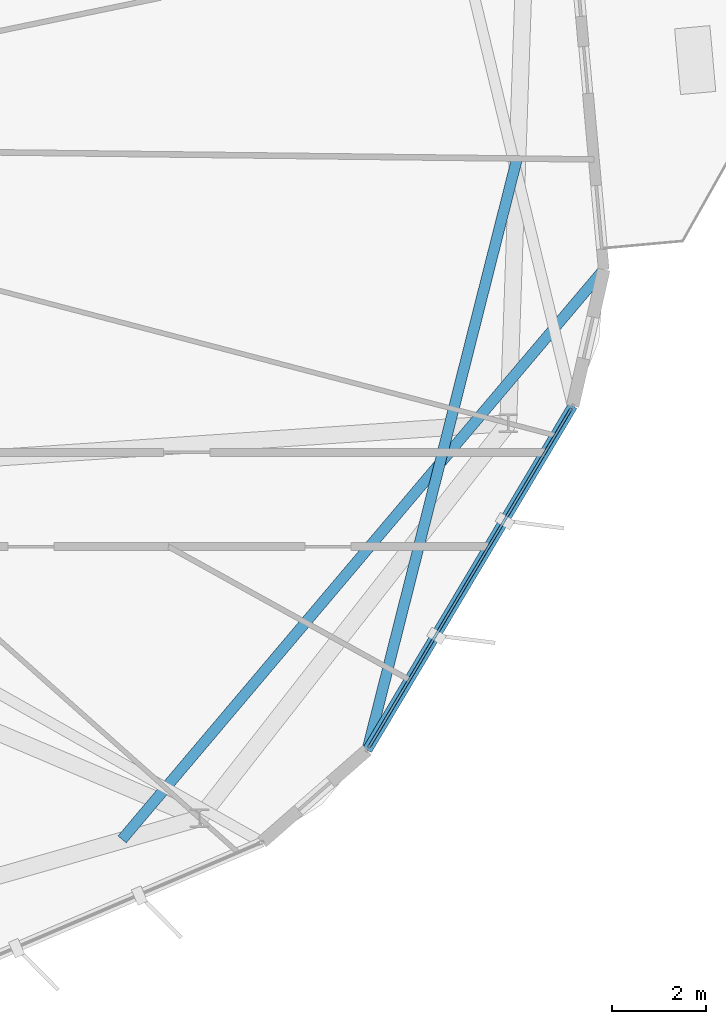
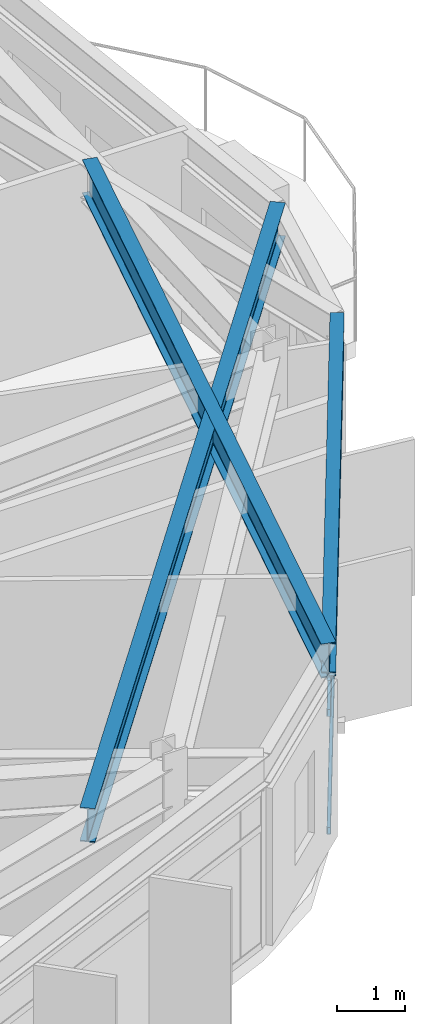
# One storey, part 11 of 23: 3 beams, 3 members, 1 element without a shape of its own.
"""IFC4 building model written with IfcOpenShell, lengths in metres."""

from ifc_helpers import new_model, si_unit, direction, frame, origin, origin_2d, place, context, subcontext, project, spatial, hollow_rectangle, i_section, extrude, material, layer, layer_set, material_profile, profile_set, type_object, element, aggregate, save


model = new_model("IFC4")

# Units and contexts
model_context = context("Model", 3, precision=1e-05, world=origin(), true_north=direction((0.0, 1.0)))
body_context = subcontext(model_context, "Body", "Model", "MODEL_VIEW")
ifc_project = project(units=[si_unit("LENGTHUNIT", "METRE"), si_unit("AREAUNIT", "SQUARE_METRE"), si_unit("VOLUMEUNIT", "CUBIC_METRE"), si_unit("PLANEANGLEUNIT", "RADIAN"), si_unit("MASSUNIT", "GRAM", prefix="KILO")], contexts=[model_context])

# Site, building, storey
site_placement = place(None, origin())
site = spatial("IfcSite", under=ifc_project, at=site_placement, CompositionType="ELEMENT")
building_placement = place(site_placement, origin())
building = spatial("IfcBuilding", under=site, at=building_placement, Name="Soratama Intermodal Tower", CompositionType="ELEMENT")
storey_placement = place(building_placement, frame((0.0, 0.0, 250.0)))
storey = spatial("IfcBuildingStorey", under=building, at=storey_placement, Name="L63", CompositionType="ELEMENT", Elevation=250.0)

# Beams
ifc_material_1 = material(Name="Structural steel ASTM A992 Grade 50", Category="steel")
ifc_material_profile_1 = material_profile(ifc_material_1, i_section(OverallWidth=0.2099609375, OverallDepth=0.537109375, WebThickness=0.010986328125, FlangeThickness=0.017333984375, FilletRadius=0.012939453125, at=origin_2d()), Name="W21X68")
ifc_profile_set_1 = profile_set([ifc_material_profile_1], Name="Structural steel ASTM A992 Grade 50")
beam_type_1 = type_object("IfcBeamType", Name="BM-SPN-W21X68", PredefinedType="SPANDREL", material=ifc_profile_set_1)
beam_1_placement = place(storey_placement, frame((58.173095703125, 12.18505859375, 3.181396484375), z_axis=(0.512610549682, 0.858621234512, 0.0), x_axis=(-0.858621234512, 0.512610549682, 0.0)))
element("IfcBeam", 1, at=beam_1_placement, inside=storey, type_object=beam_type_1, Name="BS-L63-F08", PredefinedType="SPANDREL", context=body_context, shape_type="SweptSolid", body=[
    extrude(i_section(OverallWidth=0.2099609375, OverallDepth=0.537109375, WebThickness=0.010986328125, FlangeThickness=0.017333984375, FilletRadius=0.012939453125, at=origin_2d()), origin(), (0.0, 0.0, 1.0), 8.49951171875),
])
ifc_material_2 = material(Name="Structural steel ASTM A992 Grade 50", Category="steel")
ifc_material_profile_2 = material_profile(ifc_material_2, i_section(OverallWidth=0.22900390625, OverallDepth=0.612060546875, WebThickness=0.011962890625, FlangeThickness=0.01953125, FilletRadius=0.012939453125, at=origin_2d()), Name="W24X84")
ifc_profile_set_2 = profile_set([ifc_material_profile_2], Name="Structural steel ASTM A992 Grade 50")
beam_type_2 = type_object("IfcBeamType", Name="BM-TIE-W24X84", PredefinedType="BEAM", material=ifc_profile_set_2)
beam_2_placement = place(storey_placement, frame((61.35009765625, 24.73193359375, 3.14404296875), z_axis=(-0.245463827688, -0.9694057506, 0.0), x_axis=(0.9694057506, -0.245463827688, 0.0)))
element("IfcBeam", 2, at=beam_2_placement, inside=storey, type_object=beam_type_2, Name="BM-L63-TIE0-08", PredefinedType="BEAM", context=body_context, shape_type="SweptSolid", body=[
    extrude(i_section(OverallWidth=0.22900390625, OverallDepth=0.612060546875, WebThickness=0.011962890625, FlangeThickness=0.01953125, FilletRadius=0.012939453125, at=origin_2d()), origin(), (0.0, 0.0, 1.0), 12.94287109375),
])
beam_3_placement = place(storey_placement, frame((52.97509765625, 10.29296875, 3.14404296875), z_axis=(0.645632291553, 0.763648442743, 0.0), x_axis=(-0.763648442743, 0.645632291553, 0.0)))
element("IfcBeam", 3, at=beam_3_placement, inside=storey, type_object=beam_type_2, Name="BM-L63-TIE0-09", PredefinedType="BEAM", context=body_context, shape_type="SweptSolid", body=[
    extrude(i_section(OverallWidth=0.22900390625, OverallDepth=0.612060546875, WebThickness=0.011962890625, FlangeThickness=0.01953125, FilletRadius=0.012939453125, at=origin_2d()), origin(), (0.0, 0.0, 1.0), 15.821533203125),
])

# Curtain wall, members
ifc_material_3 = material(Name="Double-glazed aluminium curtain wall", Category="aluminium")
ifc_layer = layer(ifc_material_3, 0.159912109375)
ifc_layer_set = layer_set([ifc_layer], Name="Double-glazed aluminium curtain wall")
curtain_wall_type = type_object("IfcCurtainWallType", Name="CW-SYS-5", PredefinedType="NOTDEFINED", material=ifc_layer_set)
curtain_wall_placement = place(storey_placement, origin())
curtain_wall = element("IfcCurtainWall", 4, at=curtain_wall_placement, inside=storey, type_object=curtain_wall_type, Name="L63 Faceted Curtain Wall F08", PredefinedType="NOTDEFINED")
ifc_material_4 = material(Name="Anodised aluminium AA 6063-T6", Category="aluminium")
ifc_material_profile_3 = material_profile(ifc_material_4, hollow_rectangle(XDim=0.06005859375, YDim=0.1298828125, WallThickness=0.0048828125, InnerFilletRadius=0.0048828125, OuterFilletRadius=0.010009765625, at=origin_2d()), Name="CWT130X60X5")
ifc_profile_set_3 = profile_set([ifc_material_profile_3], Name="Anodised aluminium AA 6063-T6")
member_type = type_object("IfcMemberType", Name="TT-CWT-2", PredefinedType="USERDEFINED", material=ifc_profile_set_3)
member_1_placement = place(storey_placement, frame((58.203857421875, 12.236572265625, 0.030029296875), z_axis=(0.512652233618, 0.858596347166, 0.0), x_axis=(-0.858596347166, 0.512652233618, 0.0)))
member_1 = element("IfcMember", 5, at=member_1_placement, type_object=member_type, Name="CW-5 transom 1.1", ObjectType="TRANSOM", PredefinedType="USERDEFINED", context=body_context, shape_type="SweptSolid", body=[
    extrude(hollow_rectangle(XDim=0.06005859375, YDim=0.1298828125, WallThickness=0.0048828125, InnerFilletRadius=0.0048828125, OuterFilletRadius=0.010009765625, at=origin_2d()), origin(), (0.0, 0.0, 1.0), 8.379638671875),
])
member_2_placement = place(storey_placement, frame((58.203857421875, 12.236572265625, 2.14990234375), z_axis=(0.512652233618, 0.858596347166, 0.0), x_axis=(-0.858596347166, 0.512652233618, 0.0)))
member_2 = element("IfcMember", 6, at=member_2_placement, type_object=member_type, Name="CW-5 transom 1.2", ObjectType="TRANSOM", PredefinedType="USERDEFINED", context=body_context, shape_type="SweptSolid", body=[
    extrude(hollow_rectangle(XDim=0.06005859375, YDim=0.1298828125, WallThickness=0.0048828125, InnerFilletRadius=0.0048828125, OuterFilletRadius=0.010009765625, at=origin_2d()), origin(), (0.0, 0.0, 1.0), 8.379638671875),
])
member_3_placement = place(storey_placement, frame((58.203857421875, 12.236572265625, 2.799072265625), z_axis=(0.512652233618, 0.858596347166, 0.0), x_axis=(-0.858596347166, 0.512652233618, 0.0)))
member_3 = element("IfcMember", 7, at=member_3_placement, type_object=member_type, Name="CW-5 transom 1.3", ObjectType="TRANSOM", PredefinedType="USERDEFINED", context=body_context, shape_type="SweptSolid", body=[
    extrude(hollow_rectangle(XDim=0.06005859375, YDim=0.1298828125, WallThickness=0.0048828125, InnerFilletRadius=0.0048828125, OuterFilletRadius=0.010009765625, at=origin_2d()), origin(), (0.0, 0.0, 1.0), 8.379638671875),
])
aggregate(curtain_wall, [member_1, member_2, member_3])

save(model, "model.ifc")
